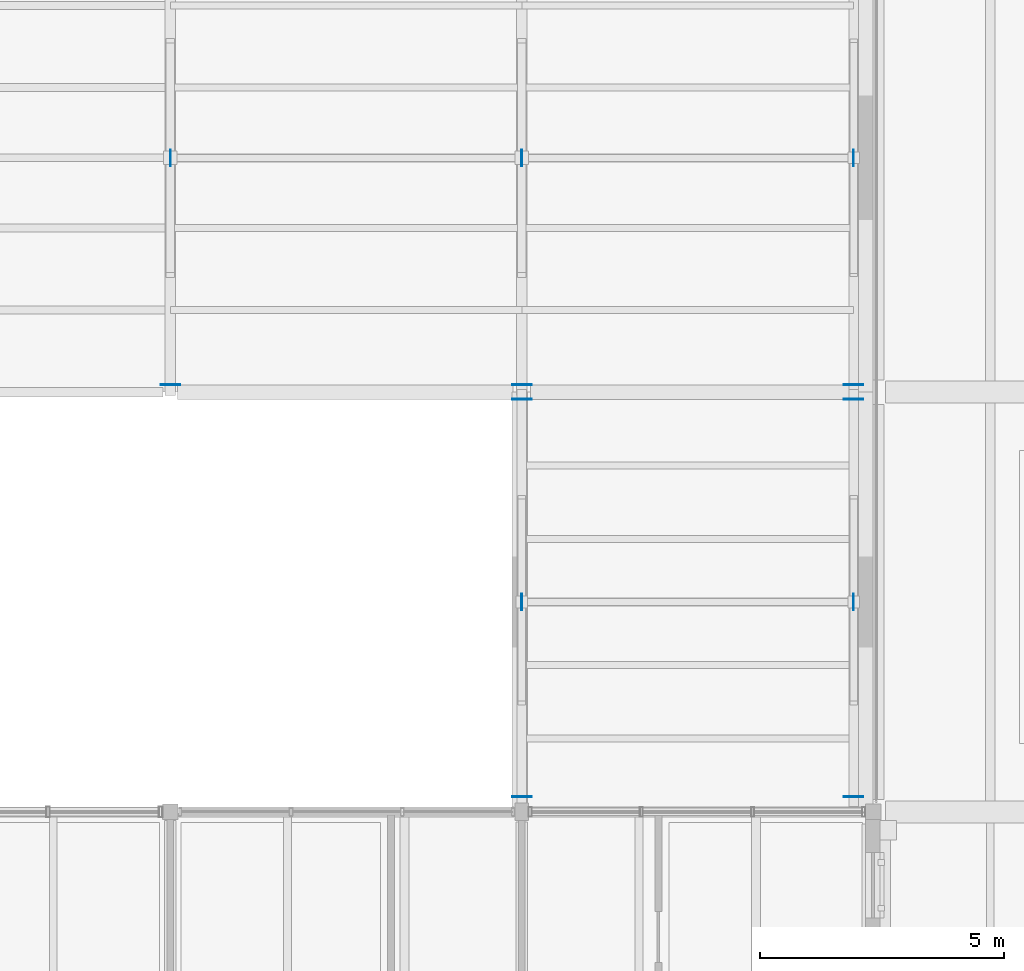
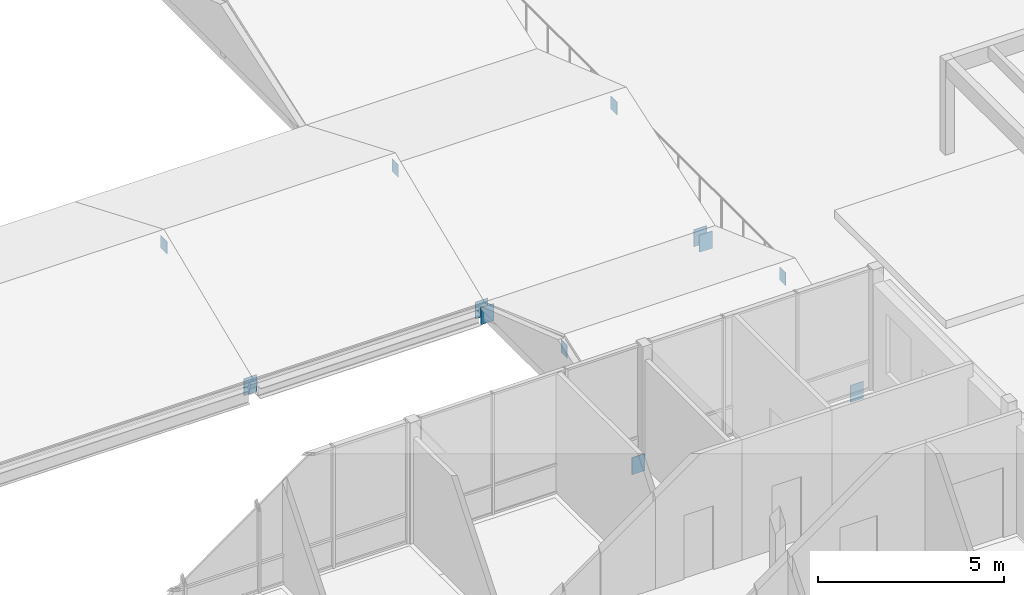
# One storey, part 78 of 115: 12 plates.
"""IFC4 building model written with IfcOpenShell, lengths in metres."""

from ifc_helpers import new_model, si_unit, direction, frame, origin, origin_2d, place, context, subcontext, project, spatial, rectangle, extrude, material, layer, layer_set, type_object, element, save


model = new_model("IFC4")

# Units and contexts
model_context = context("Model", 3, precision=1e-05, world=origin(), true_north=direction((0.0, 1.0)))
body_context = subcontext(model_context, "Body", "Model", "MODEL_VIEW")
ifc_project = project(units=[si_unit("LENGTHUNIT", "METRE"), si_unit("AREAUNIT", "SQUARE_METRE"), si_unit("VOLUMEUNIT", "CUBIC_METRE"), si_unit("PLANEANGLEUNIT", "RADIAN"), si_unit("MASSUNIT", "GRAM", prefix="KILO")], contexts=[model_context])

# Site, building, storey
site_placement = place(None, origin())
site = spatial("IfcSite", under=ifc_project, at=site_placement, CompositionType="ELEMENT")
building_placement = place(site_placement, origin())
building = spatial("IfcBuilding", under=site, at=building_placement, Name="Hawrajan Terrace Health Centre", CompositionType="ELEMENT")
storey_placement = place(building_placement, frame((0.0, 0.0, 9.0)))
storey = spatial("IfcBuildingStorey", under=building, at=storey_placement, Name="L02", CompositionType="ELEMENT", Elevation=9.0)

# Plates
ifc_material = material(Name="Steel S355", Category="steel")
ifc_layer_1 = layer(ifc_material, 0.02001953125)
ifc_layer_set_1 = layer_set([ifc_layer_1], Name="Steel S355")
plate_type_1 = type_object("IfcPlateType", Name="HoldDownShoe_S355_20", PredefinedType="SHEET", material=ifc_layer_set_1)
for number, where, z_axis, x_axis, name in (
    (1, (100.60009765625, 27.35009765625, -0.5), (0.0, 0.0, 1.0), (1.0, 0.0, 0.0), "Pinned uplift hold-down shoe C-G13-TRM-SHOE-S"),
    (2, (107.800048828125, 27.35009765625, -0.5), (0.0, 0.0, 1.0), (1.0, 0.0, 0.0), "Pinned uplift hold-down shoe C-G14-TRM-SHOE-S"),
    (3, (114.60009765625, 27.35009765625, -0.5), (0.0, 0.0, 1.0), (1.0, 0.0, 0.0), "Pinned uplift hold-down shoe C-G15-TRS-SHOE-S"),
    (4, (107.800048828125, 18.909912109375, -0.5), (0.0, 0.0, 1.0), (1.0, 0.0, 0.0), "Pinned uplift hold-down shoe C-G14-TRS-SC-SHOE-S"),
    (5, (107.800048828125, 27.050048828125, -0.5), (0.0, 0.0, 1.0), (1.0, 0.0, 0.0), "Pinned uplift hold-down shoe C-G14-TRS-SC-SHOE-N"),
    (6, (114.60009765625, 18.909912109375, -0.5), (0.0, 0.0, 1.0), (1.0, 0.0, 0.0), "Pinned uplift hold-down shoe C-G15-TRS-SC-SHOE-S"),
    (7, (114.60009765625, 27.050048828125, -0.5), (0.0, 0.0, 1.0), (1.0, 0.0, 0.0), "Pinned uplift hold-down shoe C-G15-TRS-SC-SHOE-N"),
):
    element("IfcPlate", number, at=place(storey_placement, frame(where, z_axis=z_axis, x_axis=x_axis)), inside=storey, type_object=plate_type_1, Name=name, PredefinedType="SHEET", context=body_context, shape_type="SweptSolid", body=[
        extrude(rectangle(XDim=0.39990234375, YDim=0.02001953125, at=origin_2d()), origin(), (0.0, 0.0, 1.0), 0.56005859375),
    ])
ifc_layer_2 = layer(ifc_material, 0.011962890625)
ifc_layer_set_2 = layer_set([ifc_layer_2], Name="Steel S355")
plate_type_2 = type_object("IfcPlateType", Name="KnifePlate_S355_12", PredefinedType="SHEET", material=ifc_layer_set_2)
for number, where, z_axis, x_axis, name in (
    (8, (100.60009765625, 32.0, 1.369140625), (0.0, 0.0, 1.0), (1.0, 0.0, 0.0), "Slotted steel apex knife plate C-G13-TRM"),
    (9, (107.800048828125, 32.0, 1.369140625), (0.0, 0.0, 1.0), (1.0, 0.0, 0.0), "Slotted steel apex knife plate C-G14-TRM"),
    (10, (114.60009765625, 32.0, 1.050048828125), (0.0, 0.0, 1.0), (1.0, 0.0, 0.0), "Slotted steel apex knife plate C-G15-TRS"),
    (11, (107.800048828125, 22.89990234375, 0.9462890625), (0.0, 0.0, 1.0), (1.0, 0.0, 0.0), "Slotted steel apex knife plate C-G14-TRS-SC"),
    (12, (114.60009765625, 22.89990234375, 0.9462890625), (0.0, 0.0, 1.0), (1.0, 0.0, 0.0), "Slotted steel apex knife plate C-G15-TRS-SC"),
):
    element("IfcPlate", number, at=place(storey_placement, frame(where, z_axis=z_axis, x_axis=x_axis)), inside=storey, type_object=plate_type_2, Name=name, PredefinedType="SHEET", context=body_context, shape_type="SweptSolid", body=[
        extrude(rectangle(XDim=0.011962890625, YDim=0.340087890625, at=origin_2d()), origin(), (0.0, 0.0, 1.0), 0.419921875),
    ])

save(model, "model.ifc")
